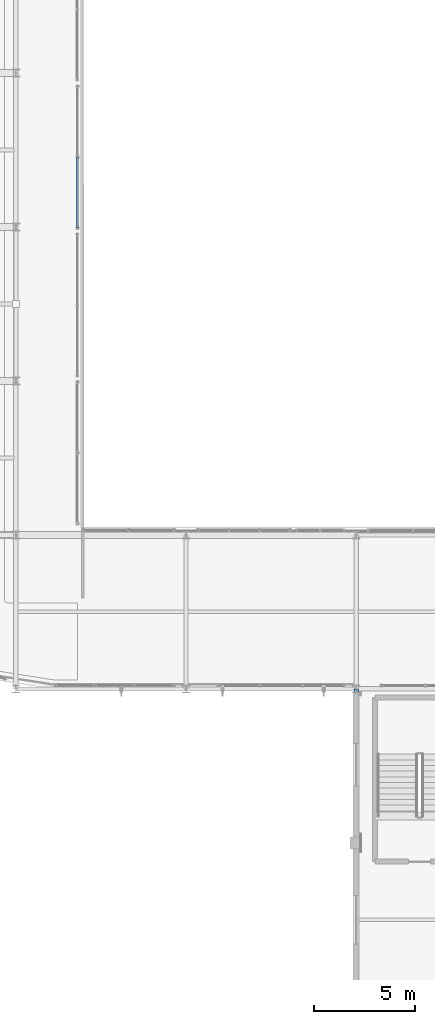
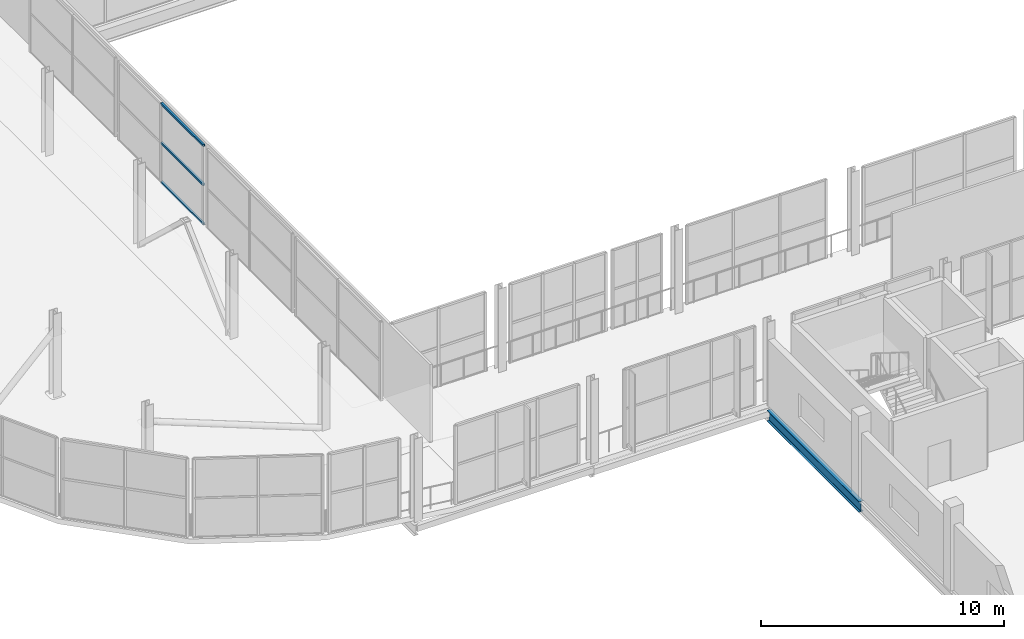
# One storey, part 27 of 217: 3 members, 1 beam, 1 element without a shape of its own.
"""IFC4 building model written with IfcOpenShell, lengths in metres."""

from ifc_helpers import new_model, si_unit, direction, frame, origin, origin_2d, place, context, subcontext, project, spatial, hollow_rectangle, i_section, extrude, material, material_profile, profile_set, type_object, element, aggregate, save


model = new_model("IFC4")

# Units and contexts
model_context = context("Model", 3, precision=1e-05, world=origin(), true_north=direction((0.0, 1.0)))
body_context = subcontext(model_context, "Body", "Model", "MODEL_VIEW")
ifc_project = project(units=[si_unit("LENGTHUNIT", "METRE"), si_unit("AREAUNIT", "SQUARE_METRE"), si_unit("VOLUMEUNIT", "CUBIC_METRE"), si_unit("PLANEANGLEUNIT", "RADIAN"), si_unit("MASSUNIT", "GRAM", prefix="KILO")], contexts=[model_context])

# Site, building, storey
site_placement = place(None, origin())
site = spatial("IfcSite", under=ifc_project, at=site_placement, CompositionType="ELEMENT")
building_placement = place(site_placement, origin())
building = spatial("IfcBuilding", under=site, at=building_placement, Name="Zuvorla Pavilion Media Centre", CompositionType="ELEMENT")
storey_placement = place(building_placement, frame((0.0, 0.0, 9.60009765625)))
storey = spatial("IfcBuildingStorey", under=building, at=storey_placement, Name="L02", CompositionType="ELEMENT", Elevation=9.60009765625)

# Beam
ifc_material_1 = material(Name="Steel S355", Category="steel")
ifc_material_profile_1 = material_profile(ifc_material_1, i_section(OverallWidth=0.2099609375, OverallDepth=0.53662109375, WebThickness=0.0107421875, FlangeThickness=0.017333984375, FilletRadius=0.0126953125, at=origin_2d()), Name="UB 533x210x101")
ifc_profile_set_1 = profile_set([ifc_material_profile_1], Name="Steel S355")
beam_type = type_object("IfcBeamType", Name="BM-UB533", PredefinedType="BEAM", material=ifc_profile_set_1)
beam_placement = place(storey_placement, frame((41.60009765625, 36.39990234375, -0.62646484375), z_axis=(0.0, 1.0, 0.0), x_axis=(-1.0, 0.0, 0.0)))
element("IfcBeam", 1, at=beam_placement, inside=storey, type_object=beam_type, Name="L02 beam B08 907", PredefinedType="BEAM", context=body_context, shape_type="SweptSolid", body=[
    extrude(i_section(OverallWidth=0.2099609375, OverallDepth=0.53662109375, WebThickness=0.0107421875, FlangeThickness=0.017333984375, FilletRadius=0.0126953125, at=origin_2d()), origin(), (0.0, 0.0, 1.0), 7.60009765625),
])

# Curtain wall, members
ifc_material_2 = material(Name="Unitised anodised aluminium and solar glass curtain wall", Category="aluminium")
curtain_wall_type = type_object("IfcCurtainWallType", Name="CW-SYS-58", PredefinedType="USERDEFINED", material=ifc_material_2)
curtain_wall_placement = place(storey_placement, origin())
curtain_wall = element("IfcCurtainWall", 2, at=curtain_wall_placement, inside=storey, type_object=curtain_wall_type, Name="L02 curtain wall CW58 91", ObjectType="CURTAIN WALL", PredefinedType="USERDEFINED")
ifc_material_3 = material(Name="Anodised aluminium 6063-T6", Category="aluminium")
ifc_material_profile_2 = material_profile(ifc_material_3, hollow_rectangle(XDim=0.10009765625, YDim=0.10009765625, WallThickness=0.00439453125, at=origin_2d()), Name="ALU TRAN 100x100")
ifc_profile_set_2 = profile_set([ifc_material_profile_2], Name="Anodised aluminium 6063-T6")
member_type = type_object("IfcMemberType", Name="CW-TRAN-100", PredefinedType="USERDEFINED", material=ifc_profile_set_2)
member_1_placement = place(storey_placement, frame((27.840087890625, 70.25, 0.0), z_axis=(0.0, -1.0, 0.0), x_axis=(1.0, 0.0, 0.0)))
member_1 = element("IfcMember", 3, at=member_1_placement, type_object=member_type, Name="CW58 transom 2.1", ObjectType="TRANSOM", PredefinedType="USERDEFINED", context=body_context, shape_type="SweptSolid", body=[
    extrude(hollow_rectangle(XDim=0.10009765625, YDim=0.10009765625, WallThickness=0.00439453125, at=origin_2d()), origin(), (0.0, 0.0, 1.0), 3.489990234375),
])
member_2_placement = place(storey_placement, frame((27.840087890625, 70.25, 1.974853515625), z_axis=(0.0, -1.0, 0.0), x_axis=(1.0, 0.0, 0.0)))
member_2 = element("IfcMember", 4, at=member_2_placement, type_object=member_type, Name="CW58 transom 2.2", ObjectType="TRANSOM", PredefinedType="USERDEFINED", context=body_context, shape_type="SweptSolid", body=[
    extrude(hollow_rectangle(XDim=0.10009765625, YDim=0.10009765625, WallThickness=0.00439453125, at=origin_2d()), origin(), (0.0, 0.0, 1.0), 3.489990234375),
])
member_3_placement = place(storey_placement, frame((27.840087890625, 70.25, 3.949951171875), z_axis=(0.0, -1.0, 0.0), x_axis=(1.0, 0.0, 0.0)))
member_3 = element("IfcMember", 5, at=member_3_placement, type_object=member_type, Name="CW58 transom 2.3", ObjectType="TRANSOM", PredefinedType="USERDEFINED", context=body_context, shape_type="SweptSolid", body=[
    extrude(hollow_rectangle(XDim=0.10009765625, YDim=0.10009765625, WallThickness=0.00439453125, at=origin_2d()), origin(), (0.0, 0.0, 1.0), 3.489990234375),
])
aggregate(curtain_wall, [member_1, member_2, member_3])

save(model, "model.ifc")
